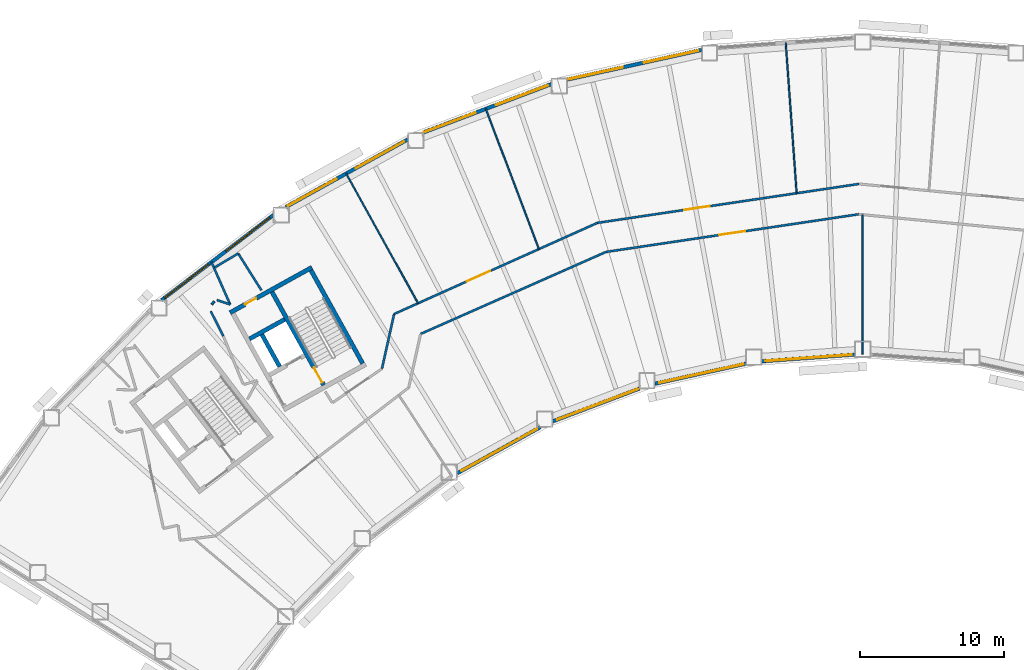
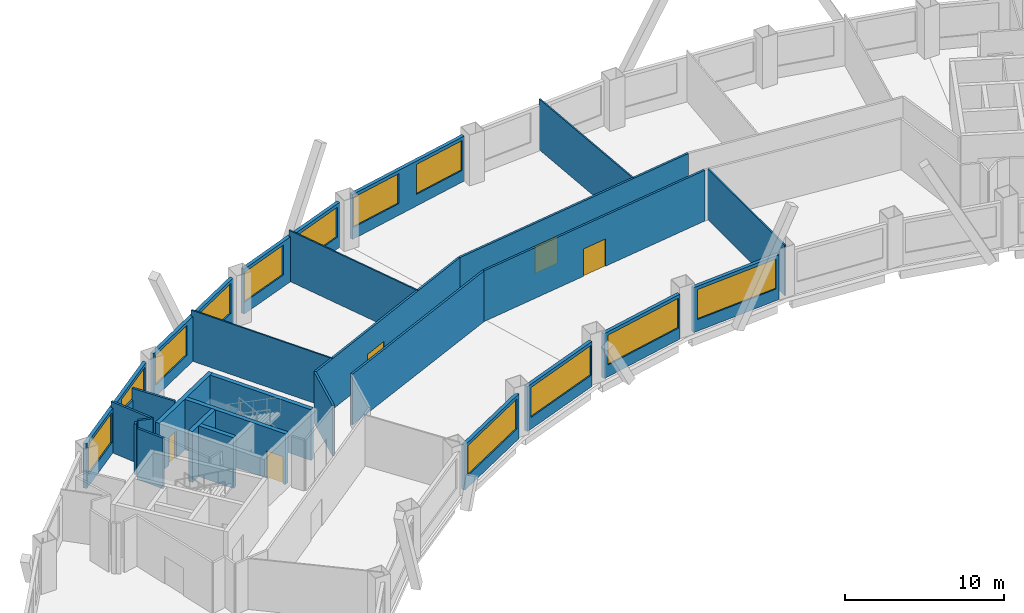
# One storey, part 4 of 11: 28 walls, 12 windows, 5 doors, 17 openings.
"""IFC4 building model written with IfcOpenShell, lengths in metres."""

from ifc_helpers import new_model, si_unit, direction, frame, frame_2d, origin, place, context, subcontext, project, spatial, rectangle, extrude, material, layer, layer_set, type_object, element, fill, save


model = new_model("IFC4")

# Units and contexts
model_context = context("Model", 3, precision=1e-05, world=origin(), true_north=direction((0.0, 1.0)))
body_context = subcontext(model_context, "Body", "Model", "MODEL_VIEW")
ifc_project = project(units=[si_unit("LENGTHUNIT", "METRE"), si_unit("AREAUNIT", "SQUARE_METRE"), si_unit("VOLUMEUNIT", "CUBIC_METRE"), si_unit("PLANEANGLEUNIT", "RADIAN"), si_unit("MASSUNIT", "GRAM", prefix="KILO")], contexts=[model_context])

# Site, building, storey
site_placement = place(None, origin())
site = spatial("IfcSite", under=ifc_project, at=site_placement, CompositionType="ELEMENT")
building_placement = place(site_placement, origin())
building = spatial("IfcBuilding", under=site, at=building_placement, Name="Tuul Gate Civic Tower", CompositionType="ELEMENT")
storey_placement = place(building_placement, frame((0.0, 0.0, 107.699951171875)))
storey = spatial("IfcBuildingStorey", under=building, at=storey_placement, Name="Level 24", CompositionType="ELEMENT", Elevation=107.699951171875)

# Wall
ifc_material_1 = material(Name="Concrete C50/60", Category="concrete")
ifc_layer_1 = layer(ifc_material_1, 0.300048828125)
ifc_layer_set_1 = layer_set([ifc_layer_1], Name="Concrete C50/60")
wall_type_1 = type_object("IfcWallType", Name="Core wall C50/60", PredefinedType="SHEAR", material=ifc_layer_set_1)
wall_1_placement = place(storey_placement, frame((-30.327392578125, -5.59716796875, 0.0), z_axis=(0.0, 0.0, 1.0), x_axis=(-0.874629840737, -0.484791338301, 0.0)))
element("IfcWall", 1, at=wall_1_placement, inside=storey, type_object=wall_type_1, Name="Core wall", PredefinedType="SHEAR", context=body_context, shape_type="SweptSolid", body=[
    extrude(rectangle(XDim=2.800048828125, YDim=0.300048828125, at=frame_2d((1.39990234375, 0.0))), origin(), (0.0, 0.0, 1.0), 3.900146484375),
])

# Wall, opening, door
wall_2_placement = place(storey_placement, frame((-28.4443359375, -1.98095703125, 0.0), z_axis=(0.0, 0.0, 1.0), x_axis=(-0.874629909008, -0.484791215132, 0.0)))
wall_2 = element("IfcWall", 2, at=wall_2_placement, inside=storey, type_object=wall_type_1, Name="Core wall", PredefinedType="SHEAR", context=body_context, shape_type="SweptSolid", body=[
    extrude(rectangle(XDim=6.5, YDim=0.300048828125, at=frame_2d((3.25, 0.0))), origin(), (0.0, 0.0, 1.0), 3.900146484375),
])
opening_1_placement = place(wall_2_placement, frame((4.425048828125, 0.0, 0.0)))
opening_1 = element("IfcOpeningElement", 3, at=opening_1_placement, cuts=wall_2, Name="Opening H-D18", PredefinedType="OPENING", context=body_context, shape_type="SweptSolid", body=[
    extrude(rectangle(XDim=0.89990234375, YDim=2.10009765625, at=frame_2d((0.449951171875, 1.050048828125))), frame((0.0, 0.16015625, 0.0), z_axis=(0.0, -1.0, 0.0), x_axis=(1.0, 0.0, 0.0)), (0.0, 0.0, 1.0), 0.320068359375),
])
ifc_material_2 = material(Name="Timber door leaf", Category="wood")
door_type_1 = type_object("IfcDoorType", Name="Door D09", OperationType="NOTDEFINED", PredefinedType="DOOR", material=ifc_material_2)
door_1_placement = place(opening_1_placement, origin())
door_1 = element("IfcDoor", 4, at=door_1_placement, inside=storey, type_object=door_type_1, Name="Door H-D18", OperationType="SINGLE_SWING_LEFT", OverallHeight=2.10009765625, OverallWidth=0.89990234375, PredefinedType="DOOR", context=body_context, shape_type="SweptSolid", body=[
    extrude(rectangle(XDim=0.89990234375, YDim=2.10009765625, at=frame_2d((0.449951171875, 1.050048828125))), frame((0.0, 0.02490234375, 0.0), z_axis=(0.0, -1.0, 0.0), x_axis=(1.0, 0.0, 0.0)), (0.0, 0.0, 1.0), 0.050048828125),
])
fill(opening_1, door_1)

# Wall
wall_3_placement = place(storey_placement, frame((-24.91552734375, -8.6572265625, 0.0), z_axis=(0.0, 0.0, 1.0), x_axis=(-0.484777133038, 0.874637714304, 0.0)))
element("IfcWall", 5, at=wall_3_placement, inside=storey, type_object=wall_type_1, Name="Core wall", PredefinedType="SHEAR", context=body_context, shape_type="SweptSolid", body=[
    extrude(rectangle(XDim=7.400146484375, YDim=0.300048828125, at=frame_2d((3.7001953125, 0.0))), origin(), (0.0, 0.0, 1.0), 3.900146484375),
])

# Wall, opening, door
wall_4_placement = place(storey_placement, frame((-27.626953125, -10.16015625, 0.0), z_axis=(0.0, 0.0, 1.0), x_axis=(-0.484751894226, 0.874651702704, 0.0)))
wall_4 = element("IfcWall", 6, at=wall_4_placement, inside=storey, type_object=wall_type_1, Name="Core wall", PredefinedType="SHEAR", context=body_context, shape_type="SweptSolid", body=[
    extrude(rectangle(XDim=7.39990234375, YDim=0.300048828125, at=frame_2d((3.699951171875, 0.0))), origin(), (0.0, 0.0, 1.0), 3.900146484375),
])
opening_2_placement = place(wall_4_placement, frame((0.199951171875, 0.0, 0.0)))
opening_2 = element("IfcOpeningElement", 7, at=opening_2_placement, cuts=wall_4, Name="Opening SD-ST-2", PredefinedType="OPENING", context=body_context, shape_type="SweptSolid", body=[
    extrude(rectangle(XDim=1.199951171875, YDim=2.10009765625, at=frame_2d((0.60009765625, 1.050048828125))), frame((0.0, 0.16015625, 0.0), z_axis=(0.0, -1.0, 0.0), x_axis=(1.0, 0.0, 0.0)), (0.0, 0.0, 1.0), 0.320068359375),
])
ifc_material_3 = material(Name="Steel", Category="steel")
door_type_2 = type_object("IfcDoorType", Name="Stair door", OperationType="NOTDEFINED", PredefinedType="DOOR", material=ifc_material_3)
door_2_placement = place(opening_2_placement, origin())
door_2 = element("IfcDoor", 8, at=door_2_placement, inside=storey, type_object=door_type_2, Name="Stair door ST-2", OperationType="SINGLE_SWING_LEFT", OverallHeight=2.10009765625, OverallWidth=1.199951171875, PredefinedType="DOOR", context=body_context, shape_type="SweptSolid", body=[
    extrude(rectangle(XDim=1.199951171875, YDim=2.10009765625, at=frame_2d((0.60009765625, 1.050048828125))), frame((0.0, 0.02490234375, 0.0), z_axis=(0.0, -1.0, 0.0), x_axis=(1.0, 0.0, 0.0)), (0.0, 0.0, 1.0), 0.050048828125),
])
fill(opening_2, door_2)

# Wall
wall_5_placement = place(storey_placement, frame((-30.680419921875, -8.8798828125, 0.0), z_axis=(0.0, 0.0, 1.0), x_axis=(-0.484724115216, 0.874667097888, 0.0)))
element("IfcWall", 9, at=wall_5_placement, inside=storey, type_object=wall_type_1, Name="Core wall", PredefinedType="SHEAR", context=body_context, shape_type="SweptSolid", body=[
    extrude(rectangle(XDim=2.550048828125, YDim=0.300048828125, at=frame_2d((1.27490234375, 0.0))), origin(), (0.0, 0.0, 1.0), 3.900146484375),
])

# Wall, opening, door
ifc_material_4 = material(Name="Gypsum board partition")
ifc_layer_2 = layer(ifc_material_4, 0.14990234375)
ifc_layer_set_2 = layer_set([ifc_layer_2], Name="Gypsum board partition")
wall_type_2 = type_object("IfcWallType", Name="Corridor wall P150", PredefinedType="PARTITIONING", material=ifc_layer_set_2)
wall_6_placement = place(storey_placement, frame((-8.611083984375, 1.110107421875, 0.0), z_axis=(0.0, 0.0, 1.0), x_axis=(0.989097137004, 0.147264569974, 0.0)))
wall_6 = element("IfcWall", 10, at=wall_6_placement, inside=storey, type_object=wall_type_2, Name="p023", PredefinedType="PARTITIONING", context=body_context, shape_type="SweptSolid", body=[
    extrude(rectangle(XDim=18.377197265625, YDim=0.14990234375, at=frame_2d((9.1884765625, 0.0))), origin(), (0.0, 0.0, 1.0), 3.900146484375),
])
opening_3_placement = place(wall_6_placement, frame((6.1005859375, 0.0, 0.0)))
opening_3 = element("IfcOpeningElement", 11, at=opening_3_placement, cuts=wall_6, Name="Opening H-D07", PredefinedType="OPENING", context=body_context, shape_type="SweptSolid", body=[
    extrude(rectangle(XDim=1.800048828125, YDim=2.10009765625, at=frame_2d((0.89990234375, 1.050048828125))), frame((0.0, 0.0849609375, 0.0), z_axis=(0.0, -1.0, 0.0), x_axis=(1.0, 0.0, 0.0)), (0.0, 0.0, 1.0), 0.169921875),
])
ifc_material_5 = material(Name="Timber door leaf, double", Category="wood")
door_type_3 = type_object("IfcDoorType", Name="Door D18", OperationType="DOUBLE_DOOR_SINGLE_SWING", PredefinedType="DOOR", material=ifc_material_5)
door_3_placement = place(opening_3_placement, origin())
door_3 = element("IfcDoor", 12, at=door_3_placement, inside=storey, type_object=door_type_3, Name="Door H-D07", OperationType="DOUBLE_DOOR_SINGLE_SWING", OverallHeight=2.10009765625, OverallWidth=1.800048828125, PredefinedType="DOOR", context=body_context, shape_type="SweptSolid", body=[
    extrude(rectangle(XDim=1.800048828125, YDim=2.10009765625, at=frame_2d((0.89990234375, 1.050048828125))), frame((0.0, 0.02490234375, 0.0), z_axis=(0.0, -1.0, 0.0), x_axis=(1.0, 0.0, 0.0)), (0.0, 0.0, 1.0), 0.050048828125),
])
fill(opening_3, door_3)

wall_7_placement = place(storey_placement, frame((-22.732421875, -5.221435546875, 0.0), z_axis=(0.0, 0.0, 1.0), x_axis=(0.912478254824, 0.409125206352, 0.0)))
wall_7 = element("IfcWall", 13, at=wall_7_placement, inside=storey, type_object=wall_type_2, Name="p025", PredefinedType="PARTITIONING", context=body_context, shape_type="SweptSolid", body=[
    extrude(rectangle(XDim=15.475830078125, YDim=0.14990234375, at=frame_2d((7.73779296875, 0.0))), origin(), (0.0, 0.0, 1.0), 3.900146484375),
])
opening_4_placement = place(wall_7_placement, frame((5.525390625, 0.0, 0.0)))
opening_4 = element("IfcOpeningElement", 14, at=opening_4_placement, cuts=wall_7, Name="Opening H-D08", PredefinedType="OPENING", context=body_context, shape_type="SweptSolid", body=[
    extrude(rectangle(XDim=1.800048828125, YDim=2.10009765625, at=frame_2d((0.89990234375, 1.050048828125))), frame((0.0, 0.0849609375, 0.0), z_axis=(0.0, -1.0, 0.0), x_axis=(1.0, 0.0, 0.0)), (0.0, 0.0, 1.0), 0.169921875),
])
door_4_placement = place(opening_4_placement, origin())
door_4 = element("IfcDoor", 15, at=door_4_placement, inside=storey, type_object=door_type_3, Name="Door H-D08", OperationType="DOUBLE_DOOR_SINGLE_SWING", OverallHeight=2.10009765625, OverallWidth=1.800048828125, PredefinedType="DOOR", context=body_context, shape_type="SweptSolid", body=[
    extrude(rectangle(XDim=1.800048828125, YDim=2.10009765625, at=frame_2d((0.89990234375, 1.050048828125))), frame((0.0, 0.02490234375, 0.0), z_axis=(0.0, -1.0, 0.0), x_axis=(1.0, 0.0, 0.0)), (0.0, 0.0, 1.0), 0.050048828125),
])
fill(opening_4, door_4)

# Walls
wall_8_placement = place(storey_placement, frame((-23.57421875, -9.015380859375, 0.0), z_axis=(0.0, 0.0, 1.0), x_axis=(0.216611161304, 0.976257960172, 0.0)))
element("IfcWall", 16, at=wall_8_placement, inside=storey, type_object=wall_type_2, Name="p028", PredefinedType="PARTITIONING", context=body_context, shape_type="SweptSolid", body=[
    extrude(rectangle(XDim=3.88623046875, YDim=0.14990234375, at=frame_2d((1.943115234375, 0.0))), origin(), (0.0, 0.0, 1.0), 3.900146484375),
])
wall_9_placement = place(storey_placement, frame((-33.56298828125, -1.016845703125, 0.0), z_axis=(0.0, 0.0, 1.0), x_axis=(0.533153011453, -0.846018833347, 0.0)))
element("IfcWall", 17, at=wall_9_placement, inside=storey, type_object=wall_type_2, Name="p030", PredefinedType="PARTITIONING", context=body_context, shape_type="SweptSolid", body=[
    extrude(rectangle(XDim=3.030029296875, YDim=0.14990234375, at=frame_2d((1.51513671875, 0.0))), origin(), (0.0, 0.0, 1.0), 3.900146484375),
])
wall_10_placement = place(storey_placement, frame((-35.422119140625, -1.613037109375, 0.0), z_axis=(0.0, 0.0, 1.0), x_axis=(0.40375398876, -0.914867595098, 0.0)))
element("IfcWall", 18, at=wall_10_placement, inside=storey, type_object=wall_type_2, Name="p033", PredefinedType="PARTITIONING", context=body_context, shape_type="SweptSolid", body=[
    extrude(rectangle(XDim=3.222412109375, YDim=0.14990234375, at=frame_2d((1.611328125, 0.0))), origin(), (0.0, 0.0, 1.0), 3.900146484375),
])
wall_11_placement = place(storey_placement, frame((-35.044677734375, -4.2470703125, 0.0), z_axis=(0.0, 0.0, 1.0), x_axis=(0.946789524238, -0.321853377787, 0.0)))
element("IfcWall", 19, at=wall_11_placement, inside=storey, type_object=wall_type_2, Name="p034", PredefinedType="PARTITIONING", context=body_context, shape_type="SweptSolid", body=[
    extrude(rectangle(XDim=0.9755859375, YDim=0.14990234375, at=frame_2d((0.48779296875, 0.0))), origin(), (0.0, 0.0, 1.0), 3.900146484375),
])
wall_12_placement = place(storey_placement, frame((-35.398193359375, -4.55029296875, 0.0), z_axis=(0.0, 0.0, 1.0), x_axis=(0.637454263695, 0.770488196988, 0.0)))
element("IfcWall", 20, at=wall_12_placement, inside=storey, type_object=wall_type_2, Name="p035", PredefinedType="PARTITIONING", context=body_context, shape_type="SweptSolid", body=[
    extrude(rectangle(XDim=0.26416015625, YDim=0.14990234375, at=frame_2d((0.132080078125, 0.0))), origin(), (0.0, 0.0, 1.0), 3.900146484375),
])
wall_13_placement = place(storey_placement, frame((-35.477294921875, -5.01611328125, 0.0), z_axis=(0.0, 0.0, 1.0), x_axis=(0.452429691742, -0.891800075146, 0.0)))
element("IfcWall", 21, at=wall_13_placement, inside=storey, type_object=wall_type_2, Name="p036", PredefinedType="PARTITIONING", context=body_context, shape_type="SweptSolid", body=[
    extrude(rectangle(XDim=1.9443359375, YDim=0.14990234375, at=frame_2d((0.97216796875, 0.0))), origin(), (0.0, 0.0, 1.0), 3.900146484375),
])
wall_14_placement = place(storey_placement, frame((-20.87841796875, -6.599365234375, 0.0), z_axis=(0.0, 0.0, 1.0), x_axis=(0.914544225777, 0.404485919529, 0.0)))
element("IfcWall", 22, at=wall_14_placement, inside=storey, type_object=wall_type_2, Name="p072", PredefinedType="PARTITIONING", context=body_context, shape_type="SweptSolid", body=[
    extrude(rectangle(XDim=14.069580078125, YDim=0.14990234375, at=frame_2d((7.03466796875, 0.0))), origin(), (0.0, 0.0, 1.0), 3.900146484375),
])

# Wall, opening, door
wall_15_placement = place(storey_placement, frame((-8.00537109375, -0.90673828125, 0.0), z_axis=(0.0, 0.0, 1.0), x_axis=(0.989069516595, 0.147449962167, 0.0)))
wall_15 = element("IfcWall", 23, at=wall_15_placement, inside=storey, type_object=wall_type_2, Name="p073", PredefinedType="PARTITIONING", context=body_context, shape_type="SweptSolid", body=[
    extrude(rectangle(XDim=17.738037109375, YDim=0.14990234375, at=frame_2d((8.869140625, 0.0))), origin(), (0.0, 0.0, 1.0), 3.900146484375),
])
opening_5_placement = place(wall_15_placement, frame((7.968994140625, 0.0, 0.0)))
opening_5 = element("IfcOpeningElement", 24, at=opening_5_placement, cuts=wall_15, Name="Opening H-D12", PredefinedType="OPENING", context=body_context, shape_type="SweptSolid", body=[
    extrude(rectangle(XDim=1.800048828125, YDim=2.10009765625, at=frame_2d((0.89990234375, 1.050048828125))), frame((0.0, 0.0849609375, 0.0), z_axis=(0.0, -1.0, 0.0), x_axis=(1.0, 0.0, 0.0)), (0.0, 0.0, 1.0), 0.169921875),
])
door_5_placement = place(opening_5_placement, frame((1.800048828125, 0.0, 0.0), z_axis=(0.0, 0.0, 1.0), x_axis=(-1.0, 0.0, 0.0)))
door_5 = element("IfcDoor", 25, at=door_5_placement, inside=storey, type_object=door_type_3, Name="Door H-D12", OperationType="DOUBLE_DOOR_SINGLE_SWING", OverallHeight=2.10009765625, OverallWidth=1.800048828125, PredefinedType="DOOR", context=body_context, shape_type="SweptSolid", body=[
    extrude(rectangle(XDim=1.800048828125, YDim=2.10009765625, at=frame_2d((0.900146484375, 1.050048828125))), frame((0.0, 0.02490234375, 0.0), z_axis=(0.0, -1.0, 0.0), x_axis=(1.0, 0.0, 0.0)), (0.0, 0.0, 1.0), 0.050048828125),
])
fill(opening_5, door_5)

# Wall
ifc_material_6 = material(Name="Gypsum board partition")
ifc_layer_3 = layer(ifc_material_6, 0.14990234375)
ifc_layer_set_3 = layer_set([ifc_layer_3], Name="Gypsum board partition")
wall_type_3 = type_object("IfcWallType", Name="Corridor wall P150 3000 HIGH", PredefinedType="PARTITIONING", material=ifc_layer_set_3)
wall_16_placement = place(storey_placement, frame((-35.21240234375, -1.9912109375, 0.0), z_axis=(0.0, 0.0, 1.0), x_axis=(0.860918956653, 0.50874212532, 0.0)))
element("IfcWall", 26, at=wall_16_placement, inside=storey, type_object=wall_type_3, Name="p032", PredefinedType="PARTITIONING", context=body_context, shape_type="SweptSolid", body=[
    extrude(rectangle(XDim=1.92578125, YDim=0.14990234375, at=frame_2d((0.962890625, 0.0))), origin(), (0.0, 0.0, 1.0), 3.0),
])

# Wall, openings, windows
ifc_material_7 = material(Name="Precast concrete C40/50", Category="concrete")
ifc_layer_4 = layer(ifc_material_7, 0.25)
ifc_layer_set_4 = layer_set([ifc_layer_4], Name="Precast concrete C40/50")
wall_type_4 = type_object("IfcWallType", Name="External wall", PredefinedType="STANDARD", material=ifc_layer_set_4)
wall_17_placement = place(storey_placement, frame((-1.37109375, 13.126220703125, 0.0), z_axis=(0.0, 0.0, 1.0), x_axis=(-0.976556736289, -0.215260170047, 0.0)))
wall_17 = element("IfcWall", 27, at=wall_17_placement, inside=storey, type_object=wall_type_4, Name="External wall", PredefinedType="STANDARD", context=body_context, shape_type="SweptSolid", body=[
    extrude(rectangle(XDim=9.55078125, YDim=0.25, at=frame_2d((4.775390625, 0.0))), origin(), (0.0, 0.0, 1.0), 3.449951171875),
])
opening_6_placement = place(wall_17_placement, frame((0.236328125, 0.0, 0.89990234375)))
opening_6 = element("IfcOpeningElement", 28, at=opening_6_placement, cuts=wall_17, Name="Opening W22", PredefinedType="OPENING", context=body_context, shape_type="SweptSolid", body=[
    extrude(rectangle(XDim=3.85009765625, YDim=2.300048828125, at=frame_2d((1.925048828125, 1.14990234375))), frame((0.0, 0.135009765625, 0.0), z_axis=(0.0, -1.0, 0.0), x_axis=(1.0, 0.0, 0.0)), (0.0, 0.0, 1.0), 0.27001953125),
])
opening_7_placement = place(wall_17_placement, frame((5.607177734375, 0.0, 0.89990234375)))
opening_7 = element("IfcOpeningElement", 29, at=opening_7_placement, cuts=wall_17, Name="Opening W22", PredefinedType="OPENING", context=body_context, shape_type="SweptSolid", body=[
    extrude(rectangle(XDim=3.85009765625, YDim=2.300048828125, at=frame_2d((1.925048828125, 1.14990234375))), frame((0.0, 0.135009765625, 0.0), z_axis=(0.0, -1.0, 0.0), x_axis=(1.0, 0.0, 0.0)), (0.0, 0.0, 1.0), 0.27001953125),
])
ifc_material_8 = material(Name="Glass", Category="glass")
window_type_1 = type_object("IfcWindowType", Name="Window W22 3850 x 2300", PartitioningType="SINGLE_PANEL", PredefinedType="WINDOW", material=ifc_material_8)
window_1_placement = place(opening_6_placement, origin())
window_1 = element("IfcWindow", 30, at=window_1_placement, inside=storey, type_object=window_type_1, Name="Window", OverallHeight=2.300048828125, OverallWidth=3.85009765625, PartitioningType="SINGLE_PANEL", PredefinedType="WINDOW", context=body_context, shape_type="SweptSolid", body=[
    extrude(rectangle(XDim=3.85009765625, YDim=2.300048828125, at=frame_2d((1.925048828125, 1.14990234375))), frame((0.0, 0.030029296875, 0.0), z_axis=(0.0, -1.0, 0.0), x_axis=(1.0, 0.0, 0.0)), (0.0, 0.0, 1.0), 0.06005859375),
])
fill(opening_6, window_1)
window_2_placement = place(opening_7_placement, origin())
window_2 = element("IfcWindow", 31, at=window_2_placement, inside=storey, type_object=window_type_1, Name="Window", OverallHeight=2.300048828125, OverallWidth=3.85009765625, PartitioningType="SINGLE_PANEL", PredefinedType="WINDOW", context=body_context, shape_type="SweptSolid", body=[
    extrude(rectangle(XDim=3.85009765625, YDim=2.300048828125, at=frame_2d((1.925048828125, 1.14990234375))), frame((0.0, 0.030029296875, 0.0), z_axis=(0.0, -1.0, 0.0), x_axis=(1.0, 0.0, 0.0)), (0.0, 0.0, 1.0), 0.06005859375),
])
fill(opening_7, window_2)

wall_18_placement = place(storey_placement, frame((-11.798095703125, 10.755859375, 0.0), z_axis=(0.0, 0.0, 1.0), x_axis=(-0.935382365762, -0.353637992617, 0.0)))
wall_18 = element("IfcWall", 32, at=wall_18_placement, inside=storey, type_object=wall_type_4, Name="External wall", PredefinedType="STANDARD", context=body_context, shape_type="SweptSolid", body=[
    extrude(rectangle(XDim=9.51806640625, YDim=0.25, at=frame_2d((4.759033203125, 0.0))), origin(), (0.0, 0.0, 1.0), 3.449951171875),
])
opening_8_placement = place(wall_18_placement, frame((0.262451171875, 0.0, 0.89990234375)))
opening_8 = element("IfcOpeningElement", 33, at=opening_8_placement, cuts=wall_18, Name="Opening W22", PredefinedType="OPENING", context=body_context, shape_type="SweptSolid", body=[
    extrude(rectangle(XDim=3.85009765625, YDim=2.300048828125, at=frame_2d((1.925048828125, 1.14990234375))), frame((0.0, 0.135009765625, 0.0), z_axis=(0.0, -1.0, 0.0), x_axis=(1.0, 0.0, 0.0)), (0.0, 0.0, 1.0), 0.27001953125),
])
opening_9_placement = place(wall_18_placement, frame((5.634033203125, 0.0, 0.89990234375)))
opening_9 = element("IfcOpeningElement", 34, at=opening_9_placement, cuts=wall_18, Name="Opening W22", PredefinedType="OPENING", context=body_context, shape_type="SweptSolid", body=[
    extrude(rectangle(XDim=3.85009765625, YDim=2.300048828125, at=frame_2d((1.925048828125, 1.14990234375))), frame((0.0, 0.135009765625, 0.0), z_axis=(0.0, -1.0, 0.0), x_axis=(1.0, 0.0, 0.0)), (0.0, 0.0, 1.0), 0.27001953125),
])
window_3_placement = place(opening_8_placement, origin())
window_3 = element("IfcWindow", 35, at=window_3_placement, inside=storey, type_object=window_type_1, Name="Window", OverallHeight=2.300048828125, OverallWidth=3.85009765625, PartitioningType="SINGLE_PANEL", PredefinedType="WINDOW", context=body_context, shape_type="SweptSolid", body=[
    extrude(rectangle(XDim=3.85009765625, YDim=2.300048828125, at=frame_2d((1.925048828125, 1.14990234375))), frame((0.0, 0.030029296875, 0.0), z_axis=(0.0, -1.0, 0.0), x_axis=(1.0, 0.0, 0.0)), (0.0, 0.0, 1.0), 0.06005859375),
])
fill(opening_8, window_3)
window_4_placement = place(opening_9_placement, origin())
window_4 = element("IfcWindow", 36, at=window_4_placement, inside=storey, type_object=window_type_1, Name="Window", OverallHeight=2.300048828125, OverallWidth=3.85009765625, PartitioningType="SINGLE_PANEL", PredefinedType="WINDOW", context=body_context, shape_type="SweptSolid", body=[
    extrude(rectangle(XDim=3.85009765625, YDim=2.300048828125, at=frame_2d((1.925048828125, 1.14990234375))), frame((0.0, 0.030029296875, 0.0), z_axis=(0.0, -1.0, 0.0), x_axis=(1.0, 0.0, 0.0)), (0.0, 0.0, 1.0), 0.06005859375),
])
fill(opening_9, window_4)

wall_19_placement = place(storey_placement, frame((-21.784912109375, 6.907470703125, 0.0), z_axis=(0.0, 0.0, 1.0), x_axis=(-0.874619623874, -0.484809770461, 0.0)))
wall_19 = element("IfcWall", 37, at=wall_19_placement, inside=storey, type_object=wall_type_4, Name="External wall", PredefinedType="STANDARD", context=body_context, shape_type="SweptSolid", body=[
    extrude(rectangle(XDim=9.680908203125, YDim=0.25, at=frame_2d((4.84033203125, 0.0))), origin(), (0.0, 0.0, 1.0), 3.449951171875),
])
opening_10_placement = place(wall_19_placement, frame((0.279541015625, 0.0, 0.89990234375)))
opening_10 = element("IfcOpeningElement", 38, at=opening_10_placement, cuts=wall_19, Name="Opening W22", PredefinedType="OPENING", context=body_context, shape_type="SweptSolid", body=[
    extrude(rectangle(XDim=3.85009765625, YDim=2.300048828125, at=frame_2d((1.925048828125, 1.14990234375))), frame((0.0, 0.135009765625, 0.0), z_axis=(0.0, -1.0, 0.0), x_axis=(1.0, 0.0, 0.0)), (0.0, 0.0, 1.0), 0.27001953125),
])
opening_11_placement = place(wall_19_placement, frame((5.650634765625, 0.0, 0.89990234375)))
opening_11 = element("IfcOpeningElement", 39, at=opening_11_placement, cuts=wall_19, Name="Opening W22", PredefinedType="OPENING", context=body_context, shape_type="SweptSolid", body=[
    extrude(rectangle(XDim=3.85009765625, YDim=2.300048828125, at=frame_2d((1.925048828125, 1.14990234375))), frame((0.0, 0.135009765625, 0.0), z_axis=(0.0, -1.0, 0.0), x_axis=(1.0, 0.0, 0.0)), (0.0, 0.0, 1.0), 0.27001953125),
])
window_5_placement = place(opening_10_placement, origin())
window_5 = element("IfcWindow", 40, at=window_5_placement, inside=storey, type_object=window_type_1, Name="Window", OverallHeight=2.300048828125, OverallWidth=3.85009765625, PartitioningType="SINGLE_PANEL", PredefinedType="WINDOW", context=body_context, shape_type="SweptSolid", body=[
    extrude(rectangle(XDim=3.85009765625, YDim=2.300048828125, at=frame_2d((1.925048828125, 1.14990234375))), frame((0.0, 0.030029296875, 0.0), z_axis=(0.0, -1.0, 0.0), x_axis=(1.0, 0.0, 0.0)), (0.0, 0.0, 1.0), 0.06005859375),
])
fill(opening_10, window_5)
window_6_placement = place(opening_11_placement, origin())
window_6 = element("IfcWindow", 41, at=window_6_placement, inside=storey, type_object=window_type_1, Name="Window", OverallHeight=2.300048828125, OverallWidth=3.85009765625, PartitioningType="SINGLE_PANEL", PredefinedType="WINDOW", context=body_context, shape_type="SweptSolid", body=[
    extrude(rectangle(XDim=3.85009765625, YDim=2.300048828125, at=frame_2d((1.925048828125, 1.14990234375))), frame((0.0, 0.030029296875, 0.0), z_axis=(0.0, -1.0, 0.0), x_axis=(1.0, 0.0, 0.0)), (0.0, 0.0, 1.0), 0.06005859375),
])
fill(opening_11, window_6)

wall_20_placement = place(storey_placement, frame((-31.1240234375, 1.6533203125, 0.0), z_axis=(0.0, 0.0, 1.0), x_axis=(-0.795622492649, -0.605792744419, 0.0)))
wall_20 = element("IfcWall", 42, at=wall_20_placement, inside=storey, type_object=wall_type_4, Name="External wall", PredefinedType="STANDARD", context=body_context, shape_type="SweptSolid", body=[
    extrude(rectangle(XDim=9.751220703125, YDim=0.25, at=frame_2d((4.87548828125, 0.0))), origin(), (0.0, 0.0, 1.0), 3.449951171875),
])
opening_12_placement = place(wall_20_placement, frame((0.283447265625, 0.0, 0.89990234375)))
opening_12 = element("IfcOpeningElement", 43, at=opening_12_placement, cuts=wall_20, Name="Opening W22", PredefinedType="OPENING", context=body_context, shape_type="SweptSolid", body=[
    extrude(rectangle(XDim=3.85009765625, YDim=2.300048828125, at=frame_2d((1.925048828125, 1.14990234375))), frame((0.0, 0.135009765625, 0.0), z_axis=(0.0, -1.0, 0.0), x_axis=(1.0, 0.0, 0.0)), (0.0, 0.0, 1.0), 0.27001953125),
])
opening_13_placement = place(wall_20_placement, frame((5.65478515625, 0.0, 0.89990234375)))
opening_13 = element("IfcOpeningElement", 44, at=opening_13_placement, cuts=wall_20, Name="Opening W22", PredefinedType="OPENING", context=body_context, shape_type="SweptSolid", body=[
    extrude(rectangle(XDim=3.85009765625, YDim=2.300048828125, at=frame_2d((1.925048828125, 1.14990234375))), frame((0.0, 0.135009765625, 0.0), z_axis=(0.0, -1.0, 0.0), x_axis=(1.0, 0.0, 0.0)), (0.0, 0.0, 1.0), 0.27001953125),
])
window_7_placement = place(opening_12_placement, origin())
window_7 = element("IfcWindow", 45, at=window_7_placement, inside=storey, type_object=window_type_1, Name="Window", OverallHeight=2.300048828125, OverallWidth=3.85009765625, PartitioningType="SINGLE_PANEL", PredefinedType="WINDOW", context=body_context, shape_type="SweptSolid", body=[
    extrude(rectangle(XDim=3.85009765625, YDim=2.300048828125, at=frame_2d((1.925048828125, 1.14990234375))), frame((0.0, 0.030029296875, 0.0), z_axis=(0.0, -1.0, 0.0), x_axis=(1.0, 0.0, 0.0)), (0.0, 0.0, 1.0), 0.06005859375),
])
fill(opening_12, window_7)
window_8_placement = place(opening_13_placement, origin())
window_8 = element("IfcWindow", 46, at=window_8_placement, inside=storey, type_object=window_type_1, Name="Window", OverallHeight=2.300048828125, OverallWidth=3.85009765625, PartitioningType="SINGLE_PANEL", PredefinedType="WINDOW", context=body_context, shape_type="SweptSolid", body=[
    extrude(rectangle(XDim=3.85009765625, YDim=2.300048828125, at=frame_2d((1.925048828125, 1.14990234375))), frame((0.0, 0.030029296875, 0.0), z_axis=(0.0, -1.0, 0.0), x_axis=(1.0, 0.0, 0.0)), (0.0, 0.0, 1.0), 0.06005859375),
])
fill(opening_13, window_8)

# Wall, opening, window
wall_21_placement = place(storey_placement, frame((-18.347900390625, -16.2841796875, 0.0), z_axis=(0.0, 0.0, 1.0), x_axis=(0.874603961928, 0.484838024272, 0.0)))
wall_21 = element("IfcWall", 47, at=wall_21_placement, inside=storey, type_object=wall_type_4, Name="External wall", PredefinedType="STANDARD", context=body_context, shape_type="SweptSolid", body=[
    extrude(rectangle(XDim=6.594482421875, YDim=0.25, at=frame_2d((3.29736328125, 0.0))), origin(), (0.0, 0.0, 1.0), 3.449951171875),
])
opening_14_placement = place(wall_21_placement, frame((0.34765625, 0.0, 0.89990234375)))
opening_14 = element("IfcOpeningElement", 48, at=opening_14_placement, cuts=wall_21, Name="Opening W26", PredefinedType="OPENING", context=body_context, shape_type="SweptSolid", body=[
    extrude(rectangle(XDim=6.0, YDim=2.300048828125, at=frame_2d((3.0, 1.14990234375))), frame((0.0, 0.135009765625, 0.0), z_axis=(0.0, -1.0, 0.0), x_axis=(1.0, 0.0, 0.0)), (0.0, 0.0, 1.0), 0.27001953125),
])
ifc_material_9 = material(Name="Glass", Category="glass")
window_type_2 = type_object("IfcWindowType", Name="Window W26 6000 x 2300", PartitioningType="SINGLE_PANEL", PredefinedType="WINDOW", material=ifc_material_9)
window_9_placement = place(opening_14_placement, origin())
window_9 = element("IfcWindow", 49, at=window_9_placement, inside=storey, type_object=window_type_2, Name="Window", OverallHeight=2.300048828125, OverallWidth=6.0, PartitioningType="SINGLE_PANEL", PredefinedType="WINDOW", context=body_context, shape_type="SweptSolid", body=[
    extrude(rectangle(XDim=6.0, YDim=2.300048828125, at=frame_2d((3.0, 1.14990234375))), frame((0.0, 0.030029296875, 0.0), z_axis=(0.0, -1.0, 0.0), x_axis=(1.0, 0.0, 0.0)), (0.0, 0.0, 1.0), 0.06005859375),
])
fill(opening_14, window_9)

wall_22_placement = place(storey_placement, frame((-11.7080078125, -12.67626953125, 0.0), z_axis=(0.0, 0.0, 1.0), x_axis=(0.935366053459, 0.353681136106, 0.0)))
wall_22 = element("IfcWall", 50, at=wall_22_placement, inside=storey, type_object=wall_type_4, Name="External wall", PredefinedType="STANDARD", context=body_context, shape_type="SweptSolid", body=[
    extrude(rectangle(XDim=6.429931640625, YDim=0.25, at=frame_2d((3.21484375, 0.0))), origin(), (0.0, 0.0, 1.0), 3.449951171875),
])
opening_15_placement = place(wall_22_placement, frame((0.3310546875, 0.0, 0.89990234375)))
opening_15 = element("IfcOpeningElement", 51, at=opening_15_placement, cuts=wall_22, Name="Opening W26", PredefinedType="OPENING", context=body_context, shape_type="SweptSolid", body=[
    extrude(rectangle(XDim=6.0, YDim=2.300048828125, at=frame_2d((3.0, 1.14990234375))), frame((0.0, 0.135009765625, 0.0), z_axis=(0.0, -1.0, 0.0), x_axis=(1.0, 0.0, 0.0)), (0.0, 0.0, 1.0), 0.27001953125),
])
window_10_placement = place(opening_15_placement, origin())
window_10 = element("IfcWindow", 52, at=window_10_placement, inside=storey, type_object=window_type_2, Name="Window", OverallHeight=2.300048828125, OverallWidth=6.0, PartitioningType="SINGLE_PANEL", PredefinedType="WINDOW", context=body_context, shape_type="SweptSolid", body=[
    extrude(rectangle(XDim=6.0, YDim=2.300048828125, at=frame_2d((3.0, 1.14990234375))), frame((0.0, 0.030029296875, 0.0), z_axis=(0.0, -1.0, 0.0), x_axis=(1.0, 0.0, 0.0)), (0.0, 0.0, 1.0), 0.06005859375),
])
fill(opening_15, window_10)

wall_23_placement = place(storey_placement, frame((-4.60693359375, -10.063232421875, 0.0), z_axis=(0.0, 0.0, 1.0), x_axis=(0.976562304854, 0.215234905949, 0.0)))
wall_23 = element("IfcWall", 53, at=wall_23_placement, inside=storey, type_object=wall_type_4, Name="External wall", PredefinedType="STANDARD", context=body_context, shape_type="SweptSolid", body=[
    extrude(rectangle(XDim=6.465576171875, YDim=0.25, at=frame_2d((3.23291015625, 0.0))), origin(), (0.0, 0.0, 1.0), 3.449951171875),
])
opening_16_placement = place(wall_23_placement, frame((0.304443359375, 0.0, 0.89990234375)))
opening_16 = element("IfcOpeningElement", 54, at=opening_16_placement, cuts=wall_23, Name="Opening W26", PredefinedType="OPENING", context=body_context, shape_type="SweptSolid", body=[
    extrude(rectangle(XDim=6.0, YDim=2.300048828125, at=frame_2d((3.0, 1.14990234375))), frame((0.0, 0.135009765625, 0.0), z_axis=(0.0, -1.0, 0.0), x_axis=(1.0, 0.0, 0.0)), (0.0, 0.0, 1.0), 0.27001953125),
])
window_11_placement = place(opening_16_placement, origin())
window_11 = element("IfcWindow", 55, at=window_11_placement, inside=storey, type_object=window_type_2, Name="Window", OverallHeight=2.300048828125, OverallWidth=6.0, PartitioningType="SINGLE_PANEL", PredefinedType="WINDOW", context=body_context, shape_type="SweptSolid", body=[
    extrude(rectangle(XDim=6.0, YDim=2.300048828125, at=frame_2d((3.0, 1.14990234375))), frame((0.0, 0.030029296875, 0.0), z_axis=(0.0, -1.0, 0.0), x_axis=(1.0, 0.0, 0.0)), (0.0, 0.0, 1.0), 0.06005859375),
])
fill(opening_16, window_11)

wall_24_placement = place(storey_placement, frame((2.806884765625, -8.503662109375, 0.0), z_axis=(0.0, 0.0, 1.0), x_axis=(0.997392965156, 0.072161437464, 0.0)))
wall_24 = element("IfcWall", 56, at=wall_24_placement, inside=storey, type_object=wall_type_4, Name="External wall", PredefinedType="STANDARD", context=body_context, shape_type="SweptSolid", body=[
    extrude(rectangle(XDim=6.489013671875, YDim=0.25, at=frame_2d((3.24462890625, 0.0))), origin(), (0.0, 0.0, 1.0), 3.449951171875),
])
opening_17_placement = place(wall_24_placement, frame((0.26806640625, 0.0, 0.89990234375)))
opening_17 = element("IfcOpeningElement", 57, at=opening_17_placement, cuts=wall_24, Name="Opening W26", PredefinedType="OPENING", context=body_context, shape_type="SweptSolid", body=[
    extrude(rectangle(XDim=6.0, YDim=2.300048828125, at=frame_2d((3.0, 1.14990234375))), frame((0.0, 0.135009765625, 0.0), z_axis=(0.0, -1.0, 0.0), x_axis=(1.0, 0.0, 0.0)), (0.0, 0.0, 1.0), 0.27001953125),
])
window_12_placement = place(opening_17_placement, origin())
window_12 = element("IfcWindow", 58, at=window_12_placement, inside=storey, type_object=window_type_2, Name="Window", OverallHeight=2.300048828125, OverallWidth=6.0, PartitioningType="SINGLE_PANEL", PredefinedType="WINDOW", context=body_context, shape_type="SweptSolid", body=[
    extrude(rectangle(XDim=6.0, YDim=2.300048828125, at=frame_2d((3.0, 1.14990234375))), frame((0.0, 0.030029296875, 0.0), z_axis=(0.0, -1.0, 0.0), x_axis=(1.0, 0.0, 0.0)), (0.0, 0.0, 1.0), 0.06005859375),
])
fill(opening_17, window_12)

# Walls
ifc_material_10 = material(Name="Gypsum board partition")
ifc_layer_5 = layer(ifc_material_10, 0.10009765625)
ifc_layer_set_5 = layer_set([ifc_layer_5], Name="Gypsum board partition")
wall_type_5 = type_object("IfcWallType", Name="Partition P100", PredefinedType="PARTITIONING", material=ifc_layer_set_5)
wall_25_placement = place(storey_placement, frame((4.480224609375, 13.6298828125, 0.0), z_axis=(0.0, 0.0, 1.0), x_axis=(0.072251433498, -0.997386449857, 0.0)))
element("IfcWall", 59, at=wall_25_placement, inside=storey, type_object=wall_type_5, Name="p022", PredefinedType="PARTITIONING", context=body_context, shape_type="SweptSolid", body=[
    extrude(rectangle(XDim=10.485107421875, YDim=0.10009765625, at=frame_2d((5.24267578125, 0.0))), origin(), (0.0, 0.0, 1.0), 3.900146484375),
])
wall_26_placement = place(storey_placement, frame((-16.358154296875, 9.037109375, 0.0), z_axis=(0.0, 0.0, 1.0), x_axis=(0.353717627007, -0.935352254685, 0.0)))
element("IfcWall", 60, at=wall_26_placement, inside=storey, type_object=wall_type_5, Name="p024", PredefinedType="PARTITIONING", context=body_context, shape_type="SweptSolid", body=[
    extrude(rectangle(XDim=10.421630859375, YDim=0.10009765625, at=frame_2d((5.2109375, 0.0))), origin(), (0.0, 0.0, 1.0), 3.900146484375),
])
wall_27_placement = place(storey_placement, frame((-26.064453125, 4.541015625, 0.0), z_axis=(0.0, 0.0, 1.0), x_axis=(0.484818232366, -0.874614933308, 0.0)))
element("IfcWall", 61, at=wall_27_placement, inside=storey, type_object=wall_type_5, Name="p026", PredefinedType="PARTITIONING", context=body_context, shape_type="SweptSolid", body=[
    extrude(rectangle(XDim=10.30810546875, YDim=0.10009765625, at=frame_2d((5.154052734375, 0.0))), origin(), (0.0, 0.0, 1.0), 3.900146484375),
])
wall_28_placement = place(storey_placement, frame((9.828857421875, -8.000732421875, 0.0), z_axis=(0.0, 0.0, 1.0), x_axis=(0.0, 1.0, 0.0)))
element("IfcWall", 62, at=wall_28_placement, inside=storey, type_object=wall_type_5, Name="p054", PredefinedType="PARTITIONING", context=body_context, shape_type="SweptSolid", body=[
    extrude(rectangle(XDim=9.682373046875, YDim=0.10009765625, at=frame_2d((4.84130859375, 0.0))), origin(), (0.0, 0.0, 1.0), 3.900146484375),
])

save(model, "model.ifc")
